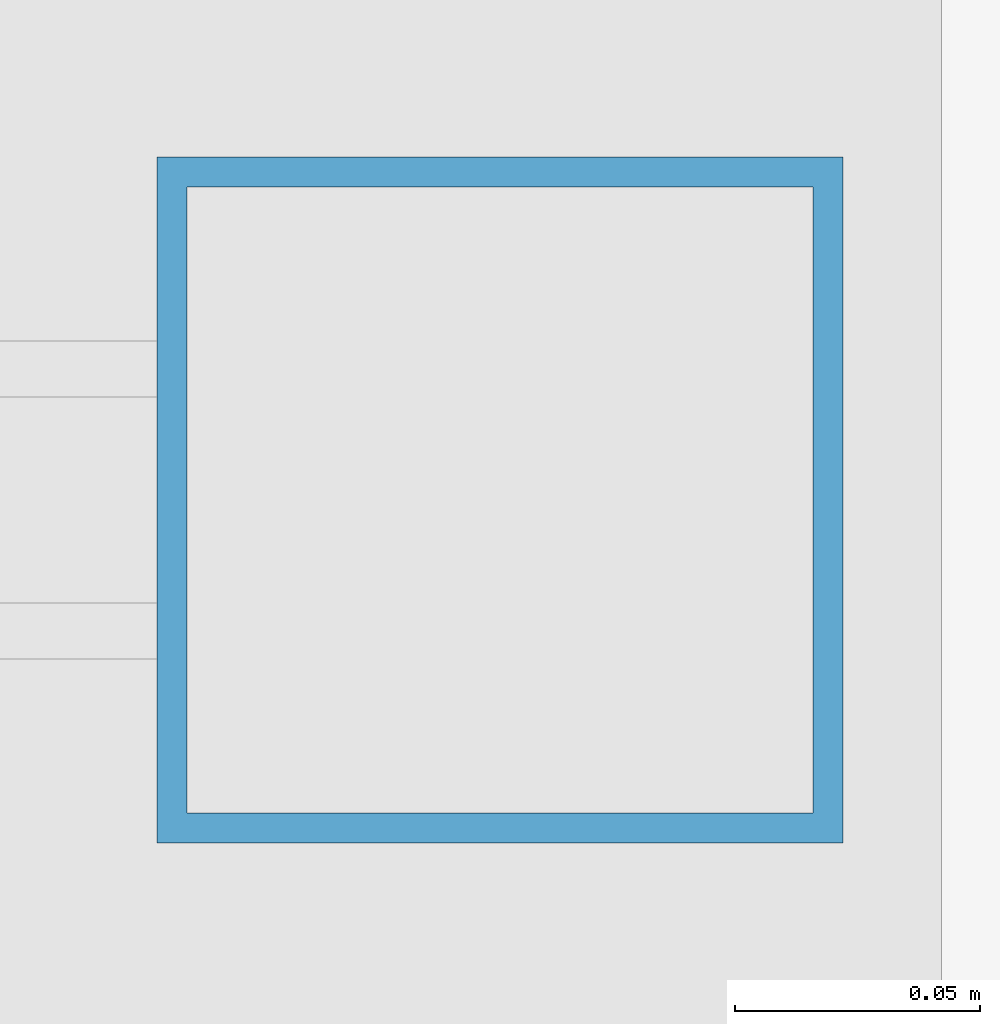
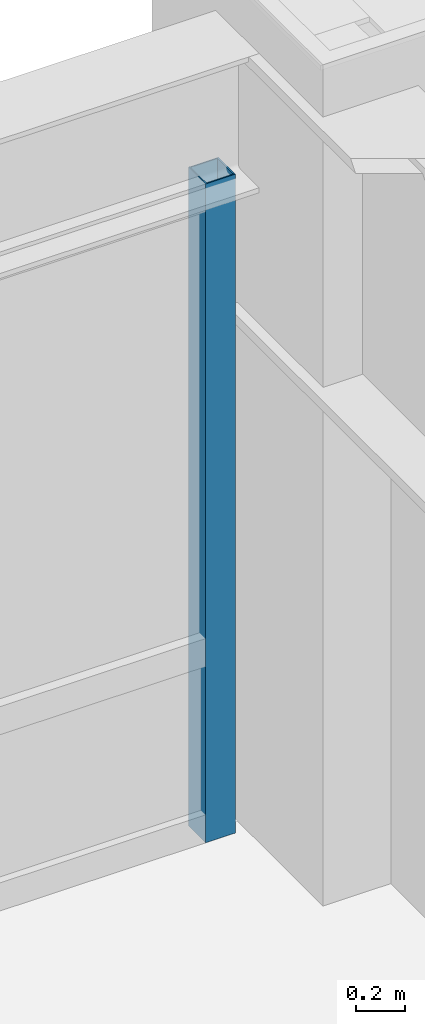
# One storey, part 21 of 29: 1 member, 1 element without a shape of its own.
"""IFC4 building model written with IfcOpenShell, lengths in metres."""

from ifc_helpers import new_model, si_unit, direction, frame, origin, origin_2d, place, context, subcontext, project, spatial, hollow_rectangle, extrude, source, transform, mapped, material, material_profile, profile_set, type_object, element, aggregate, save


model = new_model("IFC4")

# Units and contexts
model_context = context("Model", 3, precision=1e-05, world=origin(), true_north=direction((0.0, 1.0)))
body_context = subcontext(model_context, "Body", "Model", "MODEL_VIEW")
ifc_project = project(units=[si_unit("LENGTHUNIT", "METRE"), si_unit("AREAUNIT", "SQUARE_METRE"), si_unit("VOLUMEUNIT", "CUBIC_METRE"), si_unit("PLANEANGLEUNIT", "RADIAN"), si_unit("MASSUNIT", "GRAM", prefix="KILO")], contexts=[model_context])

# Site, building, storey
site_placement = place(None, origin())
site = spatial("IfcSite", under=ifc_project, at=site_placement, CompositionType="ELEMENT")
building_placement = place(site_placement, origin())
building = spatial("IfcBuilding", under=site, at=building_placement, Name="Khorayat Bourse Tower", CompositionType="ELEMENT")
storey_placement = place(building_placement, frame((0.0, 0.0, 87.199951171875)))
storey = spatial("IfcBuildingStorey", under=building, at=storey_placement, Name="L19", CompositionType="ELEMENT", Elevation=87.199951171875)

# Curtain wall, member
ifc_material = material(Name="Aluminium EN AW-6063 T6", Category="aluminium")
curtain_wall_type = type_object("IfcCurtainWallType", Name="CW-SYS-02", PredefinedType="NOTDEFINED", material=ifc_material)
curtain_wall_placement = place(storey_placement, origin())
curtain_wall = element("IfcCurtainWall", 1, at=curtain_wall_placement, inside=storey, type_object=curtain_wall_type, Name="L19 Curtain Wall CW-L19-N1", PredefinedType="NOTDEFINED")
ifc_material_profile = material_profile(ifc_material, hollow_rectangle(XDim=0.139892578125, YDim=0.139892578125, WallThickness=0.006103515625, at=origin_2d()), Name="ALU 140x140x6")
ifc_profile_set = profile_set([ifc_material_profile], Name="Aluminium EN AW-6063 T6")
member_type = type_object("IfcMemberType", Name="CWM-VERT-140", PredefinedType="MULLION", material=ifc_profile_set)
shared_shape = source(origin(), body_context, "Body", "SweptSolid", [
    extrude(hollow_rectangle(XDim=0.139892578125, YDim=0.139892578125, WallThickness=0.006103515625, at=origin_2d()), origin(), (0.0, 0.0, 1.0), 3.2900390625),
])
member_placement = place(storey_placement, frame((27.679931640625, 32.0, 0.0), z_axis=(0.0, 0.0, 1.0), x_axis=(0.0, 1.0, 0.0)))
member = element("IfcMember", 2, at=member_placement, type_object=member_type, Name="CW-L19-N1 Vertical Mullion 3", PredefinedType="MULLION", context=body_context, shape_type="MappedRepresentation", body=[
    mapped(shared_shape, transform((0.0, 0.0, 0.0), scale=1.0)),
])
aggregate(curtain_wall, [member])

save(model, "model.ifc")
